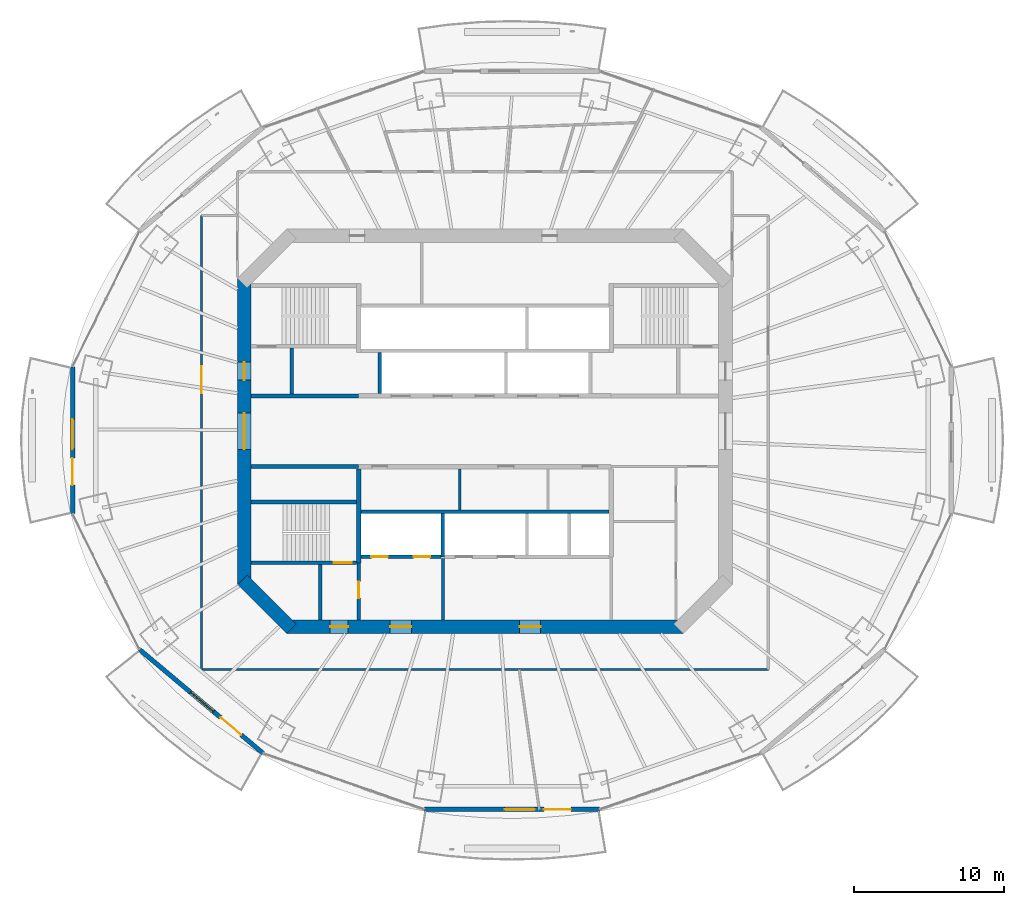
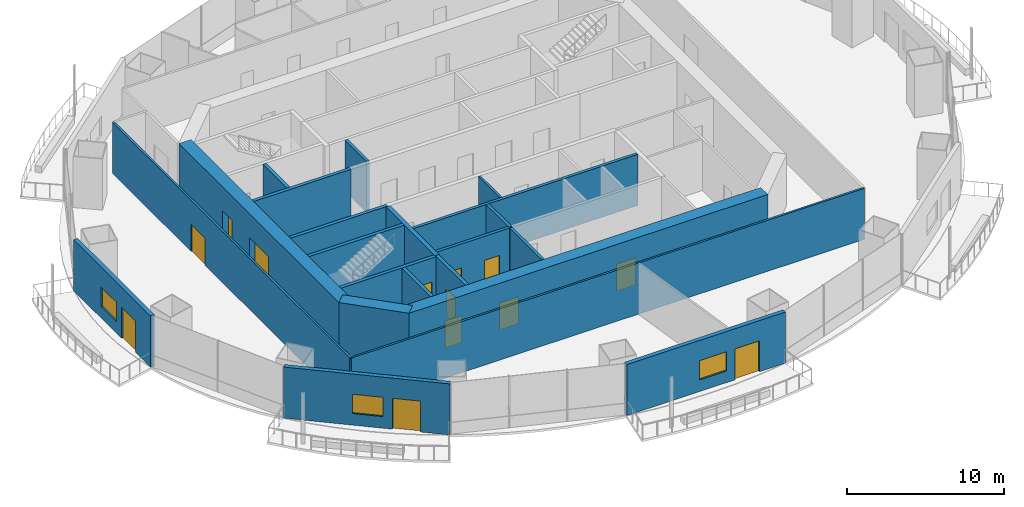
# One storey, part 10 of 19: 22 walls, 13 doors, 3 windows, 16 openings.
"""IFC4 building model written with IfcOpenShell, lengths in metres."""

from ifc_helpers import new_model, si_unit, direction, frame, frame_2d, origin, place, context, subcontext, project, spatial, rectangle, extrude, material, layer, layer_set, type_object, element, fill, save


model = new_model("IFC4")

# Units and contexts
model_context = context("Model", 3, precision=1e-05, world=origin(), true_north=direction((0.0, 1.0)))
body_context = subcontext(model_context, "Body", "Model", "MODEL_VIEW")
ifc_project = project(units=[si_unit("LENGTHUNIT", "METRE"), si_unit("AREAUNIT", "SQUARE_METRE"), si_unit("VOLUMEUNIT", "CUBIC_METRE"), si_unit("PLANEANGLEUNIT", "RADIAN"), si_unit("MASSUNIT", "GRAM", prefix="KILO")], contexts=[model_context])

# Site, building, storey
site_placement = place(None, origin())
site = spatial("IfcSite", under=ifc_project, at=site_placement, CompositionType="ELEMENT")
building_placement = place(site_placement, origin())
building = spatial("IfcBuilding", under=site, at=building_placement, Name="Marenthal Gate Tower", CompositionType="ELEMENT")
storey_placement = place(building_placement, frame((0.0, 0.0, 256.5)))
storey = spatial("IfcBuildingStorey", under=building, at=storey_placement, Name="L57", CompositionType="ELEMENT", Elevation=256.5)

# Wall, openings, doors
ifc_material_1 = material(Name="Concrete 60 MPa", Category="concrete")
ifc_layer_1 = layer(ifc_material_1, 0.89990234375)
ifc_layer_set_1 = layer_set([ifc_layer_1], Name="Core shear wall 900")
wall_type_1 = type_object("IfcWallType", Name="Core shear wall 900", PredefinedType="SHEAR", material=ifc_layer_set_1)
wall_1_placement = place(storey_placement, frame((-16.0, 10.186279296875, -0.179931640625), z_axis=(0.0, 0.0, 1.0), x_axis=(0.0, -1.0, 0.0)))
wall_1 = element("IfcWall", 1, at=wall_1_placement, inside=storey, type_object=wall_type_1, Name="Core wall 06", PredefinedType="SHEAR", context=body_context, shape_type="SweptSolid", body=[
    extrude(rectangle(XDim=20.37255859375, YDim=0.89990234375, at=frame_2d((10.186279296875, 0.0))), origin(), (0.0, 0.0, 1.0), 4.14990234375),
])
opening_1_placement = place(wall_1_placement, frame((8.986328125, 0.0, 0.179931640625)))
opening_1 = element("IfcOpeningElement", 2, at=opening_1_placement, cuts=wall_1, Name="Opening D003.01", PredefinedType="OPENING", context=body_context, shape_type="SweptSolid", body=[
    extrude(rectangle(XDim=2.39990234375, YDim=2.10009765625, at=frame_2d((1.199951171875, 1.050048828125))), frame((0.0, 0.4599609375, 0.0), z_axis=(0.0, -1.0, 0.0), x_axis=(1.0, 0.0, 0.0)), (0.0, 0.0, 1.0), 0.919921875),
])
opening_2_placement = place(wall_1_placement, frame((5.58642578125, 0.0, 0.179931640625)))
opening_2 = element("IfcOpeningElement", 3, at=opening_2_placement, cuts=wall_1, Name="Opening D001.04", PredefinedType="OPENING", context=body_context, shape_type="SweptSolid", body=[
    extrude(rectangle(XDim=1.199951171875, YDim=2.10009765625, at=frame_2d((0.60009765625, 1.050048828125))), frame((0.0, 0.4599609375, 0.0), z_axis=(0.0, -1.0, 0.0), x_axis=(1.0, 0.0, 0.0)), (0.0, 0.0, 1.0), 0.919921875),
])
ifc_material_2 = material(Name="Steel fire door", Category="steel")
door_type_1 = type_object("IfcDoorType", Name="Double fire door FD 45 2400 x 2100", OperationType="DOUBLE_DOOR_SINGLE_SWING", PredefinedType="DOOR", material=ifc_material_2)
door_1_placement = place(opening_1_placement, origin())
door_1 = element("IfcDoor", 4, at=door_1_placement, inside=storey, type_object=door_type_1, Name="Door D003.01", OperationType="DOUBLE_DOOR_SINGLE_SWING", OverallHeight=2.10009765625, OverallWidth=2.39990234375, PredefinedType="DOOR", context=body_context, shape_type="SweptSolid", body=[
    extrude(rectangle(XDim=2.39990234375, YDim=2.10009765625, at=frame_2d((1.199951171875, 1.050048828125))), frame((0.0, 0.02490234375, 0.0), z_axis=(0.0, -1.0, 0.0), x_axis=(1.0, 0.0, 0.0)), (0.0, 0.0, 1.0), 0.050048828125),
])
fill(opening_1, door_1)
ifc_material_3 = material(Name="Steel fire door", Category="steel")
door_type_2 = type_object("IfcDoorType", Name="Fire door FD 90 1200 x 2100", OperationType="NOTDEFINED", PredefinedType="DOOR", material=ifc_material_3)
door_2_placement = place(opening_2_placement, origin())
door_2 = element("IfcDoor", 5, at=door_2_placement, inside=storey, type_object=door_type_2, Name="Door D001.04", OperationType="SINGLE_SWING_RIGHT", OverallHeight=2.10009765625, OverallWidth=1.199951171875, PredefinedType="DOOR", context=body_context, shape_type="SweptSolid", body=[
    extrude(rectangle(XDim=1.199951171875, YDim=2.10009765625, at=frame_2d((0.60009765625, 1.050048828125))), frame((0.0, 0.02490234375, 0.0), z_axis=(0.0, -1.0, 0.0), x_axis=(1.0, 0.0, 0.0)), (0.0, 0.0, 1.0), 0.050048828125),
])
fill(opening_2, door_2)

# Wall
wall_2_placement = place(storey_placement, frame((-16.1318359375, -9.8681640625, -0.179931640625), z_axis=(0.0, 0.0, 1.0), x_axis=(0.707106781187, -0.707106781187, 0.0)))
element("IfcWall", 6, at=wall_2_placement, inside=storey, type_object=wall_type_1, Name="Core wall 07", PredefinedType="SHEAR", context=body_context, shape_type="SweptSolid", body=[
    extrude(rectangle(XDim=4.615478515625, YDim=0.89990234375, at=frame_2d((2.3076171875, 0.0))), origin(), (0.0, 0.0, 1.0), 4.14990234375),
])

# Wall, openings, doors
wall_3_placement = place(storey_placement, frame((-13.186279296875, -13.0, -0.179931640625), z_axis=(0.0, 0.0, 1.0), x_axis=(1.0, 0.0, 0.0)))
wall_3 = element("IfcWall", 7, at=wall_3_placement, inside=storey, type_object=wall_type_1, Name="Core wall 08", PredefinedType="SHEAR", context=body_context, shape_type="SweptSolid", body=[
    extrude(rectangle(XDim=26.37255859375, YDim=0.89990234375, at=frame_2d((13.186279296875, 0.0))), origin(), (0.0, 0.0, 1.0), 4.14990234375),
])
opening_3_placement = place(wall_3_placement, frame((2.886474609375, 0.0, 0.179931640625)))
opening_3 = element("IfcOpeningElement", 8, at=opening_3_placement, cuts=wall_3, Name="Opening D001.06", PredefinedType="OPENING", context=body_context, shape_type="SweptSolid", body=[
    extrude(rectangle(XDim=1.199951171875, YDim=2.10009765625, at=frame_2d((0.60009765625, 1.050048828125))), frame((0.0, 0.4599609375, 0.0), z_axis=(0.0, -1.0, 0.0), x_axis=(1.0, 0.0, 0.0)), (0.0, 0.0, 1.0), 0.919921875),
])
opening_4_placement = place(wall_3_placement, frame((6.886474609375, 0.0, 0.179931640625)))
opening_4 = element("IfcOpeningElement", 9, at=opening_4_placement, cuts=wall_3, Name="Opening D004.01", PredefinedType="OPENING", context=body_context, shape_type="SweptSolid", body=[
    extrude(rectangle(XDim=1.39990234375, YDim=2.10009765625, at=frame_2d((0.699951171875, 1.050048828125))), frame((0.0, 0.4599609375, 0.0), z_axis=(0.0, -1.0, 0.0), x_axis=(1.0, 0.0, 0.0)), (0.0, 0.0, 1.0), 0.919921875),
])
opening_5_placement = place(wall_3_placement, frame((15.486328125, 0.0, 0.179931640625)))
opening_5 = element("IfcOpeningElement", 10, at=opening_5_placement, cuts=wall_3, Name="Opening D004.02", PredefinedType="OPENING", context=body_context, shape_type="SweptSolid", body=[
    extrude(rectangle(XDim=1.39990234375, YDim=2.10009765625, at=frame_2d((0.699951171875, 1.050048828125))), frame((0.0, 0.4599609375, 0.0), z_axis=(0.0, -1.0, 0.0), x_axis=(1.0, 0.0, 0.0)), (0.0, 0.0, 1.0), 0.919921875),
])
ifc_material_4 = material(Name="Steel fire door", Category="steel")
door_type_3 = type_object("IfcDoorType", Name="Fire door FD 45 1400 x 2100", OperationType="NOTDEFINED", PredefinedType="DOOR", material=ifc_material_4)
door_3_placement = place(opening_4_placement, origin())
door_3 = element("IfcDoor", 11, at=door_3_placement, inside=storey, type_object=door_type_3, Name="Door D004.01", OperationType="SINGLE_SWING_RIGHT", OverallHeight=2.10009765625, OverallWidth=1.39990234375, PredefinedType="DOOR", context=body_context, shape_type="SweptSolid", body=[
    extrude(rectangle(XDim=1.39990234375, YDim=2.10009765625, at=frame_2d((0.699951171875, 1.050048828125))), frame((0.0, 0.02490234375, 0.0), z_axis=(0.0, -1.0, 0.0), x_axis=(1.0, 0.0, 0.0)), (0.0, 0.0, 1.0), 0.050048828125),
])
fill(opening_4, door_3)
door_4_placement = place(opening_5_placement, origin())
door_4 = element("IfcDoor", 12, at=door_4_placement, inside=storey, type_object=door_type_3, Name="Door D004.02", OperationType="SINGLE_SWING_RIGHT", OverallHeight=2.10009765625, OverallWidth=1.39990234375, PredefinedType="DOOR", context=body_context, shape_type="SweptSolid", body=[
    extrude(rectangle(XDim=1.39990234375, YDim=2.10009765625, at=frame_2d((0.699951171875, 1.050048828125))), frame((0.0, 0.02490234375, 0.0), z_axis=(0.0, -1.0, 0.0), x_axis=(1.0, 0.0, 0.0)), (0.0, 0.0, 1.0), 0.050048828125),
])
fill(opening_5, door_4)
door_5_placement = place(opening_3_placement, origin())
door_5 = element("IfcDoor", 13, at=door_5_placement, inside=storey, type_object=door_type_2, Name="Door D001.06", OperationType="SINGLE_SWING_RIGHT", OverallHeight=2.10009765625, OverallWidth=1.199951171875, PredefinedType="DOOR", context=body_context, shape_type="SweptSolid", body=[
    extrude(rectangle(XDim=1.199951171875, YDim=2.10009765625, at=frame_2d((0.60009765625, 1.050048828125))), frame((0.0, 0.02490234375, 0.0), z_axis=(0.0, -1.0, 0.0), x_axis=(1.0, 0.0, 0.0)), (0.0, 0.0, 1.0), 0.050048828125),
])
fill(opening_3, door_5)

# Walls
ifc_material_5 = material(Name="Gypsum board on steel studs", Category="steel")
ifc_layer_2 = layer(ifc_material_5, 0.199951171875)
ifc_layer_set_2 = layer_set([ifc_layer_2], Name="Fire lobby wall 200")
wall_type_2 = type_object("IfcWallType", Name="Fire lobby wall 200", PredefinedType="PARTITIONING", material=ifc_layer_set_2)
wall_4_placement = place(storey_placement, frame((-2.800048828125, -12.550048828125, 0.0), z_axis=(0.0, 0.0, 1.0), x_axis=(0.0, 1.0, 0.0)))
element("IfcWall", 14, at=wall_4_placement, inside=storey, type_object=wall_type_2, Name="Fire wall 35", PredefinedType="PARTITIONING", context=body_context, shape_type="SweptSolid", body=[
    extrude(rectangle(XDim=4.090087890625, YDim=0.199951171875, at=frame_2d((2.044921875, 0.0))), origin(), (0.0, 0.0, 1.0), 3.969970703125),
])
ifc_material_6 = material(Name="Concrete 50 MPa", Category="concrete")
ifc_layer_3 = layer(ifc_material_6, 0.300048828125)
ifc_layer_set_3 = layer_set([ifc_layer_3], Name="Hoistway shear wall 300")
wall_type_3 = type_object("IfcWallType", Name="Hoistway shear wall 300", PredefinedType="SHEAR", material=ifc_layer_set_3)
wall_5_placement = place(storey_placement, frame((-8.39990234375, -8.75, -0.179931640625), z_axis=(0.0, 0.0, 1.0), x_axis=(0.0, 1.0, 0.0)))
element("IfcWall", 15, at=wall_5_placement, inside=storey, type_object=wall_type_3, Name="Hoistway wall 30", PredefinedType="SHEAR", context=body_context, shape_type="SweptSolid", body=[
    extrude(rectangle(XDim=6.25, YDim=0.300048828125, at=frame_2d((3.125, 0.0))), origin(), (0.0, 0.0, 1.0), 4.14990234375),
])

# Wall, openings, doors
ifc_material_7 = material(Name="Concrete 40 MPa", Category="concrete")
ifc_layer_4 = layer(ifc_material_7, 0.219970703125)
ifc_layer_set_4 = layer_set([ifc_layer_4], Name="Hoistway wall 220")
wall_type_4 = type_object("IfcWallType", Name="Hoistway wall 220", PredefinedType="STANDARD", material=ifc_layer_set_4)
wall_6_placement = place(storey_placement, frame((-8.25, -8.35009765625, 0.0), z_axis=(0.0, 0.0, 1.0), x_axis=(1.0, 0.0, 0.0)))
wall_6 = element("IfcWall", 16, at=wall_6_placement, inside=storey, type_object=wall_type_4, Name="Hoistway wall 10", PredefinedType="STANDARD", context=body_context, shape_type="SweptSolid", body=[
    extrude(rectangle(XDim=5.340087890625, YDim=0.219970703125, at=frame_2d((2.669921875, 0.0))), origin(), (0.0, 0.0, 1.0), 3.969970703125),
])
opening_6_placement = place(wall_6_placement, frame((0.699951171875, 0.0, 0.0)))
opening_6 = element("IfcOpeningElement", 17, at=opening_6_placement, cuts=wall_6, Name="Opening LD-LF1", PredefinedType="OPENING", context=body_context, shape_type="SweptSolid", body=[
    extrude(rectangle(XDim=1.10009765625, YDim=2.10009765625, at=frame_2d((0.550048828125, 1.050048828125))), frame((0.0, 0.1201171875, 0.0), z_axis=(0.0, -1.0, 0.0), x_axis=(1.0, 0.0, 0.0)), (0.0, 0.0, 1.0), 0.239990234375),
])
opening_7_placement = place(wall_6_placement, frame((3.5, 0.0, 0.0)))
opening_7 = element("IfcOpeningElement", 18, at=opening_7_placement, cuts=wall_6, Name="Opening LD-LF2", PredefinedType="OPENING", context=body_context, shape_type="SweptSolid", body=[
    extrude(rectangle(XDim=1.10009765625, YDim=2.10009765625, at=frame_2d((0.550048828125, 1.050048828125))), frame((0.0, 0.1201171875, 0.0), z_axis=(0.0, -1.0, 0.0), x_axis=(1.0, 0.0, 0.0)), (0.0, 0.0, 1.0), 0.239990234375),
])
ifc_material_8 = material(Name="Stainless steel sliding door", Category="steel")
door_type_4 = type_object("IfcDoorType", Name="Lift landing door FD 90 1100 x 2100", OperationType="DOUBLE_DOOR_SLIDING", PredefinedType="DOOR", material=ifc_material_8)
door_6_placement = place(opening_6_placement, origin())
door_6 = element("IfcDoor", 19, at=door_6_placement, inside=storey, type_object=door_type_4, Name="Lift landing door LF1", OperationType="DOUBLE_DOOR_SLIDING", OverallHeight=2.10009765625, OverallWidth=1.10009765625, PredefinedType="DOOR", context=body_context, shape_type="SweptSolid", body=[
    extrude(rectangle(XDim=1.10009765625, YDim=2.10009765625, at=frame_2d((0.550048828125, 1.050048828125))), frame((0.0, 0.02490234375, 0.0), z_axis=(0.0, -1.0, 0.0), x_axis=(1.0, 0.0, 0.0)), (0.0, 0.0, 1.0), 0.050048828125),
])
fill(opening_6, door_6)
door_7_placement = place(opening_7_placement, origin())
door_7 = element("IfcDoor", 20, at=door_7_placement, inside=storey, type_object=door_type_4, Name="Lift landing door LF2", OperationType="DOUBLE_DOOR_SLIDING", OverallHeight=2.10009765625, OverallWidth=1.10009765625, PredefinedType="DOOR", context=body_context, shape_type="SweptSolid", body=[
    extrude(rectangle(XDim=1.10009765625, YDim=2.10009765625, at=frame_2d((0.550048828125, 1.050048828125))), frame((0.0, 0.02490234375, 0.0), z_axis=(0.0, -1.0, 0.0), x_axis=(1.0, 0.0, 0.0)), (0.0, 0.0, 1.0), 0.050048828125),
])
fill(opening_7, door_7)

# Walls
wall_7_placement = place(storey_placement, frame((-8.25, -5.35009765625, 0.0), z_axis=(0.0, 0.0, 1.0), x_axis=(1.0, 0.0, 0.0)))
element("IfcWall", 21, at=wall_7_placement, inside=storey, type_object=wall_type_4, Name="Hoistway wall 13", PredefinedType="STANDARD", context=body_context, shape_type="SweptSolid", body=[
    extrude(rectangle(XDim=16.5, YDim=0.219970703125, at=frame_2d((8.25, 0.0))), origin(), (0.0, 0.0, 1.0), 3.969970703125),
])
wall_8_placement = place(storey_placement, frame((-7.0, 2.5, 0.0), z_axis=(0.0, 0.0, 1.0), x_axis=(0.0, 1.0, 0.0)))
element("IfcWall", 22, at=wall_8_placement, inside=storey, type_object=wall_type_4, Name="Hoistway wall 33", PredefinedType="STANDARD", context=body_context, shape_type="SweptSolid", body=[
    extrude(rectangle(XDim=2.739990234375, YDim=0.219970703125, at=frame_2d((1.3701171875, 0.0))), origin(), (0.0, 0.0, 1.0), 3.969970703125),
])
wall_9_placement = place(storey_placement, frame((-2.800048828125, -8.35009765625, 0.0), z_axis=(0.0, 0.0, 1.0), x_axis=(0.0, 1.0, 0.0)))
element("IfcWall", 23, at=wall_9_placement, inside=storey, type_object=wall_type_4, Name="Hoistway wall 36", PredefinedType="STANDARD", context=body_context, shape_type="SweptSolid", body=[
    extrude(rectangle(XDim=2.89013671875, YDim=0.219970703125, at=frame_2d((1.445068359375, 0.0))), origin(), (0.0, 0.0, 1.0), 3.969970703125),
])
ifc_material_9 = material(Name="Gypsum board on steel studs", Category="steel")
ifc_layer_5 = layer(ifc_material_9, 0.14990234375)
ifc_layer_set_5 = layer_set([ifc_layer_5], Name="Partition 150")
wall_type_5 = type_object("IfcWallType", Name="Partition 150", PredefinedType="PARTITIONING", material=ifc_layer_set_5)
wall_10_placement = place(storey_placement, frame((-1.679931640625, -5.239990234375, 0.0), z_axis=(0.0, 0.0, 1.0), x_axis=(0.0, 1.0, 0.0)))
element("IfcWall", 24, at=wall_10_placement, inside=storey, type_object=wall_type_5, Name="Partition wall 37", PredefinedType="PARTITIONING", context=body_context, shape_type="SweptSolid", body=[
    extrude(rectangle(XDim=2.739990234375, YDim=0.14990234375, at=frame_2d((1.3701171875, 0.0))), origin(), (0.0, 0.0, 1.0), 3.969970703125),
])

# Wall, opening, door
wall_11_placement = place(storey_placement, frame((-18.85009765625, -15.85009765625, 0.0), z_axis=(0.0, 0.0, 1.0), x_axis=(0.0, 1.0, 0.0)))
wall_11 = element("IfcWall", 25, at=wall_11_placement, inside=storey, type_object=wall_type_5, Name="Partition wall 50", PredefinedType="PARTITIONING", context=body_context, shape_type="SweptSolid", body=[
    extrude(rectangle(XDim=30.207275390625, YDim=0.14990234375, at=frame_2d((15.103515625, 0.0))), origin(), (0.0, 0.0, 1.0), 3.969970703125),
])
opening_8_placement = place(wall_11_placement, frame((18.389892578125, 0.0, 0.0)))
opening_8 = element("IfcOpeningElement", 26, at=opening_8_placement, cuts=wall_11, Name="Opening D014.01", PredefinedType="OPENING", context=body_context, shape_type="SweptSolid", body=[
    extrude(rectangle(XDim=1.800048828125, YDim=2.10009765625, at=frame_2d((0.89990234375, 1.050048828125))), frame((0.0, 0.0849609375, 0.0), z_axis=(0.0, -1.0, 0.0), x_axis=(1.0, 0.0, 0.0)), (0.0, 0.0, 1.0), 0.169921875),
])
ifc_material_10 = material(Name="Timber door", Category="wood")
door_type_5 = type_object("IfcDoorType", Name="Double door 1800 x 2100", OperationType="DOUBLE_DOOR_SINGLE_SWING", PredefinedType="DOOR", material=ifc_material_10)
door_8_placement = place(opening_8_placement, origin())
door_8 = element("IfcDoor", 27, at=door_8_placement, inside=storey, type_object=door_type_5, Name="Door D014.01", OperationType="DOUBLE_DOOR_SINGLE_SWING", OverallHeight=2.10009765625, OverallWidth=1.800048828125, PredefinedType="DOOR", context=body_context, shape_type="SweptSolid", body=[
    extrude(rectangle(XDim=1.800048828125, YDim=2.10009765625, at=frame_2d((0.89990234375, 1.050048828125))), frame((0.0, 0.02490234375, 0.0), z_axis=(0.0, -1.0, 0.0), x_axis=(1.0, 0.0, 0.0)), (0.0, 0.0, 1.0), 0.050048828125),
])
fill(opening_8, door_8)

# Walls
wall_12_placement = place(storey_placement, frame((18.85009765625, -15.85009765625, 0.0), z_axis=(0.0, 0.0, 1.0), x_axis=(-1.0, 0.0, 0.0)))
element("IfcWall", 28, at=wall_12_placement, inside=storey, type_object=wall_type_5, Name="Partition wall 64", PredefinedType="PARTITIONING", context=body_context, shape_type="SweptSolid", body=[
    extrude(rectangle(XDim=37.7001953125, YDim=0.14990234375, at=frame_2d((18.85009765625, 0.0))), origin(), (0.0, 0.0, 1.0), 3.969970703125),
])
ifc_material_11 = material(Name="Concrete 40 MPa", Category="concrete")
ifc_layer_6 = layer(ifc_material_11, 0.25)
ifc_layer_set_6 = layer_set([ifc_layer_6], Name="Stair enclosure wall 250")
wall_type_6 = type_object("IfcWallType", Name="Stair enclosure wall 250", PredefinedType="STANDARD", material=ifc_layer_set_6)
for number, where, z_axis, x_axis, name in (
    (29, (-15.550048828125, -2.35009765625, 0.0), (0.0, 0.0, 1.0), (1.0, 0.0, 0.0), "Stair wall 15"),
    (30, (-15.550048828125, 2.35009765625, 0.0), (0.0, 0.0, 1.0), (1.0, 0.0, 0.0), "Stair wall 18"),
):
    element("IfcWall", number, at=place(storey_placement, frame(where, z_axis=z_axis, x_axis=x_axis)), inside=storey, type_object=wall_type_6, Name=name, PredefinedType="STANDARD", context=body_context, shape_type="SweptSolid", body=[
        extrude(rectangle(XDim=7.150146484375, YDim=0.25, at=frame_2d((3.5751953125, 0.0))), origin(), (0.0, 0.0, 1.0), 3.969970703125),
    ])
wall_13_placement = place(storey_placement, frame((-12.85009765625, 2.47509765625, 0.0), z_axis=(0.0, 0.0, 1.0), x_axis=(0.0, 1.0, 0.0)))
element("IfcWall", 31, at=wall_13_placement, inside=storey, type_object=wall_type_6, Name="Stair wall 27", PredefinedType="STANDARD", context=body_context, shape_type="SweptSolid", body=[
    extrude(rectangle(XDim=3.0498046875, YDim=0.25, at=frame_2d((1.52490234375, 0.0))), origin(), (0.0, 0.0, 1.0), 3.969970703125),
])
wall_14_placement = place(storey_placement, frame((-10.949951171875, -12.550048828125, 0.0), z_axis=(0.0, 0.0, 1.0), x_axis=(0.0, 1.0, 0.0)))
element("IfcWall", 32, at=wall_14_placement, inside=storey, type_object=wall_type_6, Name="Stair wall 28", PredefinedType="STANDARD", context=body_context, shape_type="SweptSolid", body=[
    extrude(rectangle(XDim=3.675048828125, YDim=0.25, at=frame_2d((1.83740234375, 0.0))), origin(), (0.0, 0.0, 1.0), 3.969970703125),
])

# Wall, opening, door
wall_15_placement = place(storey_placement, frame((-8.39990234375, -12.550048828125, 0.0), z_axis=(0.0, 0.0, 1.0), x_axis=(0.0, 1.0, 0.0)))
wall_15 = element("IfcWall", 33, at=wall_15_placement, inside=storey, type_object=wall_type_6, Name="Stair wall 29", PredefinedType="STANDARD", context=body_context, shape_type="SweptSolid", body=[
    extrude(rectangle(XDim=3.800048828125, YDim=0.25, at=frame_2d((1.89990234375, 0.0))), origin(), (0.0, 0.0, 1.0), 3.969970703125),
])
opening_9_placement = place(wall_15_placement, frame((1.449951171875, 0.0, 0.0)))
opening_9 = element("IfcOpeningElement", 34, at=opening_9_placement, cuts=wall_15, Name="Opening D002.01", PredefinedType="OPENING", context=body_context, shape_type="SweptSolid", body=[
    extrude(rectangle(XDim=1.10009765625, YDim=2.10009765625, at=frame_2d((0.550048828125, 1.050048828125))), frame((0.0, 0.135009765625, 0.0), z_axis=(0.0, -1.0, 0.0), x_axis=(1.0, 0.0, 0.0)), (0.0, 0.0, 1.0), 0.27001953125),
])
ifc_material_12 = material(Name="Steel fire door", Category="steel")
door_type_6 = type_object("IfcDoorType", Name="Fire door FD 90 1100 x 2100", OperationType="NOTDEFINED", PredefinedType="DOOR", material=ifc_material_12)
door_9_placement = place(opening_9_placement, origin())
door_9 = element("IfcDoor", 35, at=door_9_placement, inside=storey, type_object=door_type_6, Name="Door D002.01", OperationType="SINGLE_SWING_RIGHT", OverallHeight=2.10009765625, OverallWidth=1.10009765625, PredefinedType="DOOR", context=body_context, shape_type="SweptSolid", body=[
    extrude(rectangle(XDim=1.10009765625, YDim=2.10009765625, at=frame_2d((0.550048828125, 1.050048828125))), frame((0.0, 0.02490234375, 0.0), z_axis=(0.0, -1.0, 0.0), x_axis=(1.0, 0.0, 0.0)), (0.0, 0.0, 1.0), 0.050048828125),
])
fill(opening_9, door_9)

ifc_material_13 = material(Name="Concrete 50 MPa", Category="concrete")
ifc_layer_7 = layer(ifc_material_13, 0.25)
ifc_layer_set_7 = layer_set([ifc_layer_7], Name="Stair shear wall 250")
wall_type_7 = type_object("IfcWallType", Name="Stair shear wall 250", PredefinedType="SHEAR", material=ifc_layer_set_7)
wall_16_placement = place(storey_placement, frame((-15.550048828125, -8.75, -0.179931640625), z_axis=(0.0, 0.0, 1.0), x_axis=(1.0, 0.0, 0.0)))
wall_16 = element("IfcWall", 36, at=wall_16_placement, inside=storey, type_object=wall_type_7, Name="Stair wall 09", PredefinedType="SHEAR", context=body_context, shape_type="SweptSolid", body=[
    extrude(rectangle(XDim=7.0, YDim=0.25, at=frame_2d((3.5, 0.0))), origin(), (0.0, 0.0, 1.0), 4.14990234375),
])
opening_10_placement = place(wall_16_placement, frame((5.5, 0.0, 0.179931640625)))
opening_10 = element("IfcOpeningElement", 37, at=opening_10_placement, cuts=wall_16, Name="Opening D001.03", PredefinedType="OPENING", context=body_context, shape_type="SweptSolid", body=[
    extrude(rectangle(XDim=1.199951171875, YDim=2.10009765625, at=frame_2d((0.60009765625, 1.050048828125))), frame((0.0, 0.135009765625, 0.0), z_axis=(0.0, -1.0, 0.0), x_axis=(1.0, 0.0, 0.0)), (0.0, 0.0, 1.0), 0.27001953125),
])
door_10_placement = place(opening_10_placement, origin())
door_10 = element("IfcDoor", 38, at=door_10_placement, inside=storey, type_object=door_type_2, Name="Door D001.03", OperationType="SINGLE_SWING_RIGHT", OverallHeight=2.10009765625, OverallWidth=1.199951171875, PredefinedType="DOOR", context=body_context, shape_type="SweptSolid", body=[
    extrude(rectangle(XDim=1.199951171875, YDim=2.10009765625, at=frame_2d((0.60009765625, 1.050048828125))), frame((0.0, 0.02490234375, 0.0), z_axis=(0.0, -1.0, 0.0), x_axis=(1.0, 0.0, 0.0)), (0.0, 0.0, 1.0), 0.050048828125),
])
fill(opening_10, door_10)

# Wall
wall_17_placement = place(storey_placement, frame((-15.550048828125, -4.699951171875, -0.179931640625), z_axis=(0.0, 0.0, 1.0), x_axis=(1.0, 0.0, 0.0)))
element("IfcWall", 39, at=wall_17_placement, inside=storey, type_object=wall_type_7, Name="Stair wall 14", PredefinedType="SHEAR", context=body_context, shape_type="SweptSolid", body=[
    extrude(rectangle(XDim=7.0, YDim=0.25, at=frame_2d((3.5, 0.0))), origin(), (0.0, 0.0, 1.0), 4.14990234375),
])

# Wall, openings, door, window
ifc_material_14 = material(Name="Terracotta cladding on insulated concrete-block backing", Category="masonry")
ifc_layer_8 = layer(ifc_material_14, 0.300048828125)
ifc_layer_set_8 = layer_set([ifc_layer_8], Name="Terracotta facade wall 300")
wall_type_8 = type_object("IfcWallType", Name="Terracotta facade wall 300", PredefinedType="SOLIDWALL", material=ifc_layer_set_8)
wall_18_placement = place(storey_placement, frame((-27.430419921875, 4.283935546875, 0.0), z_axis=(0.0, 0.0, 1.0), x_axis=(0.0, -1.0, 0.0)))
wall_18 = element("IfcWall", 40, at=wall_18_placement, inside=storey, type_object=wall_type_8, Name="Terracotta facade wall L57 bay 8", PredefinedType="SOLIDWALL", context=body_context, shape_type="SweptSolid", body=[
    extrude(rectangle(XDim=9.767822265625, YDim=0.300048828125, at=frame_2d((4.8837890625, 0.0))), origin(), (0.0, 0.0, 1.0), 3.969970703125),
])
opening_11_placement = place(wall_18_placement, frame((6.06787109375, 0.0, 0.0)))
opening_11 = element("IfcOpeningElement", 41, at=opening_11_placement, cuts=wall_18, Name="Opening BD-L57-08", PredefinedType="OPENING", context=body_context, shape_type="SweptSolid", body=[
    extrude(rectangle(XDim=1.800048828125, YDim=2.39990234375, at=frame_2d((0.89990234375, 1.199951171875))), frame((0.0, 0.16015625, 0.0), z_axis=(0.0, -1.0, 0.0), x_axis=(1.0, 0.0, 0.0)), (0.0, 0.0, 1.0), 0.320068359375),
])
opening_12_placement = place(wall_18_placement, frame((3.4677734375, 0.0, 0.89990234375)))
opening_12 = element("IfcOpeningElement", 42, at=opening_12_placement, cuts=wall_18, Name="Opening WN2-L57-08", PredefinedType="OPENING", context=body_context, shape_type="SweptSolid", body=[
    extrude(rectangle(XDim=2.0, YDim=1.5, at=frame_2d((1.0, 0.75))), frame((0.0, 0.16015625, 0.0), z_axis=(0.0, -1.0, 0.0), x_axis=(1.0, 0.0, 0.0)), (0.0, 0.0, 1.0), 0.320068359375),
])
ifc_material_15 = material(Name="Aluminium and glass", Category="aluminium")
door_type_7 = type_object("IfcDoorType", Name="Balcony door 1800x2400", OperationType="DOUBLE_DOOR_SINGLE_SWING", PredefinedType="DOOR", material=ifc_material_15)
door_11_placement = place(opening_11_placement, origin())
door_11 = element("IfcDoor", 43, at=door_11_placement, inside=storey, type_object=door_type_7, Name="Balcony door L57 bay 8", OperationType="SINGLE_SWING_LEFT", OverallHeight=2.39990234375, OverallWidth=1.800048828125, PredefinedType="DOOR", context=body_context, shape_type="SweptSolid", body=[
    extrude(rectangle(XDim=1.800048828125, YDim=2.39990234375, at=frame_2d((0.89990234375, 1.199951171875))), frame((0.0, 0.02490234375, 0.0), z_axis=(0.0, -1.0, 0.0), x_axis=(1.0, 0.0, 0.0)), (0.0, 0.0, 1.0), 0.050048828125),
])
fill(opening_11, door_11)
ifc_material_16 = material(Name="Aluminium and glass", Category="aluminium")
window_type = type_object("IfcWindowType", Name="Window 2000x1500", PartitioningType="DOUBLE_PANEL_VERTICAL", PredefinedType="WINDOW", material=ifc_material_16)
window_1_placement = place(opening_12_placement, origin())
window_1 = element("IfcWindow", 44, at=window_1_placement, inside=storey, type_object=window_type, Name="Window L57 bay 8", OverallHeight=1.5, OverallWidth=2.0, PartitioningType="SINGLE_PANEL", PredefinedType="WINDOW", context=body_context, shape_type="SweptSolid", body=[
    extrude(rectangle(XDim=2.0, YDim=1.5, at=frame_2d((1.0, 0.75))), frame((0.0, 0.030029296875, 0.0), z_axis=(0.0, -1.0, 0.0), x_axis=(1.0, 0.0, 0.0)), (0.0, 0.0, 1.0), 0.06005859375),
])
fill(opening_12, window_1)

wall_19_placement = place(storey_placement, frame((-22.980224609375, -14.508056640625, 0.0), z_axis=(0.0, 0.0, 1.0), x_axis=(0.765697698686, -0.643200617403, 0.0)))
wall_19 = element("IfcWall", 45, at=wall_19_placement, inside=storey, type_object=wall_type_8, Name="Terracotta facade wall L57 bay 10", PredefinedType="SOLIDWALL", context=body_context, shape_type="SweptSolid", body=[
    extrude(rectangle(XDim=10.738525390625, YDim=0.300048828125, at=frame_2d((5.369140625, 0.0))), origin(), (0.0, 0.0, 1.0), 3.969970703125),
])
opening_13_placement = place(wall_19_placement, frame((7.03857421875, 0.0, 0.0)))
opening_13 = element("IfcOpeningElement", 46, at=opening_13_placement, cuts=wall_19, Name="Opening BD-L57-10", PredefinedType="OPENING", context=body_context, shape_type="SweptSolid", body=[
    extrude(rectangle(XDim=1.800048828125, YDim=2.39990234375, at=frame_2d((0.89990234375, 1.199951171875))), frame((0.0, 0.16015625, 0.0), z_axis=(0.0, -1.0, 0.0), x_axis=(1.0, 0.0, 0.0)), (0.0, 0.0, 1.0), 0.320068359375),
])
opening_14_placement = place(wall_19_placement, frame((4.4384765625, 0.0, 0.89990234375)))
opening_14 = element("IfcOpeningElement", 47, at=opening_14_placement, cuts=wall_19, Name="Opening WN2-L57-10", PredefinedType="OPENING", context=body_context, shape_type="SweptSolid", body=[
    extrude(rectangle(XDim=2.0, YDim=1.5, at=frame_2d((1.0, 0.75))), frame((0.0, 0.16015625, 0.0), z_axis=(0.0, -1.0, 0.0), x_axis=(1.0, 0.0, 0.0)), (0.0, 0.0, 1.0), 0.320068359375),
])
door_12_placement = place(opening_13_placement, origin())
door_12 = element("IfcDoor", 48, at=door_12_placement, inside=storey, type_object=door_type_7, Name="Balcony door L57 bay 10", OperationType="SINGLE_SWING_LEFT", OverallHeight=2.39990234375, OverallWidth=1.800048828125, PredefinedType="DOOR", context=body_context, shape_type="SweptSolid", body=[
    extrude(rectangle(XDim=1.800048828125, YDim=2.39990234375, at=frame_2d((0.89990234375, 1.199951171875))), frame((0.0, 0.02490234375, 0.0), z_axis=(0.0, -1.0, 0.0), x_axis=(1.0, 0.0, 0.0)), (0.0, 0.0, 1.0), 0.050048828125),
])
fill(opening_13, door_12)
window_2_placement = place(opening_14_placement, origin())
window_2 = element("IfcWindow", 49, at=window_2_placement, inside=storey, type_object=window_type, Name="Window L57 bay 10", OverallHeight=1.5, OverallWidth=2.0, PartitioningType="SINGLE_PANEL", PredefinedType="WINDOW", context=body_context, shape_type="SweptSolid", body=[
    extrude(rectangle(XDim=2.0, YDim=1.5, at=frame_2d((1.0, 0.75))), frame((0.0, 0.030029296875, 0.0), z_axis=(0.0, -1.0, 0.0), x_axis=(1.0, 0.0, 0.0)), (0.0, 0.0, 1.0), 0.06005859375),
])
fill(opening_14, window_2)

wall_20_placement = place(storey_placement, frame((-4.014404296875, -25.153076171875, 0.0), z_axis=(0.0, 0.0, 1.0), x_axis=(1.0, 0.0, 0.0)))
wall_20 = element("IfcWall", 50, at=wall_20_placement, inside=storey, type_object=wall_type_8, Name="Terracotta facade wall L57 bay 12", PredefinedType="SOLIDWALL", context=body_context, shape_type="SweptSolid", body=[
    extrude(rectangle(XDim=11.628662109375, YDim=0.300048828125, at=frame_2d((5.814453125, 0.0))), origin(), (0.0, 0.0, 1.0), 3.969970703125),
])
opening_15_placement = place(wall_20_placement, frame((7.9287109375, 0.0, 0.0)))
opening_15 = element("IfcOpeningElement", 51, at=opening_15_placement, cuts=wall_20, Name="Opening BD-L57-12", PredefinedType="OPENING", context=body_context, shape_type="SweptSolid", body=[
    extrude(rectangle(XDim=1.800048828125, YDim=2.39990234375, at=frame_2d((0.89990234375, 1.199951171875))), frame((0.0, 0.16015625, 0.0), z_axis=(0.0, -1.0, 0.0), x_axis=(1.0, 0.0, 0.0)), (0.0, 0.0, 1.0), 0.320068359375),
])
opening_16_placement = place(wall_20_placement, frame((5.32861328125, 0.0, 0.89990234375)))
opening_16 = element("IfcOpeningElement", 52, at=opening_16_placement, cuts=wall_20, Name="Opening WN2-L57-12", PredefinedType="OPENING", context=body_context, shape_type="SweptSolid", body=[
    extrude(rectangle(XDim=2.0, YDim=1.5, at=frame_2d((1.0, 0.75))), frame((0.0, 0.16015625, 0.0), z_axis=(0.0, -1.0, 0.0), x_axis=(1.0, 0.0, 0.0)), (0.0, 0.0, 1.0), 0.320068359375),
])
door_13_placement = place(opening_15_placement, origin())
door_13 = element("IfcDoor", 53, at=door_13_placement, inside=storey, type_object=door_type_7, Name="Balcony door L57 bay 12", OperationType="SINGLE_SWING_LEFT", OverallHeight=2.39990234375, OverallWidth=1.800048828125, PredefinedType="DOOR", context=body_context, shape_type="SweptSolid", body=[
    extrude(rectangle(XDim=1.800048828125, YDim=2.39990234375, at=frame_2d((0.89990234375, 1.199951171875))), frame((0.0, 0.02490234375, 0.0), z_axis=(0.0, -1.0, 0.0), x_axis=(1.0, 0.0, 0.0)), (0.0, 0.0, 1.0), 0.050048828125),
])
fill(opening_15, door_13)
window_3_placement = place(opening_16_placement, origin())
window_3 = element("IfcWindow", 54, at=window_3_placement, inside=storey, type_object=window_type, Name="Window L57 bay 12", OverallHeight=1.5, OverallWidth=2.0, PartitioningType="SINGLE_PANEL", PredefinedType="WINDOW", context=body_context, shape_type="SweptSolid", body=[
    extrude(rectangle(XDim=2.0, YDim=1.5, at=frame_2d((1.0, 0.75))), frame((0.0, 0.030029296875, 0.0), z_axis=(0.0, -1.0, 0.0), x_axis=(1.0, 0.0, 0.0)), (0.0, 0.0, 1.0), 0.06005859375),
])
fill(opening_16, window_3)

save(model, "model.ifc")
